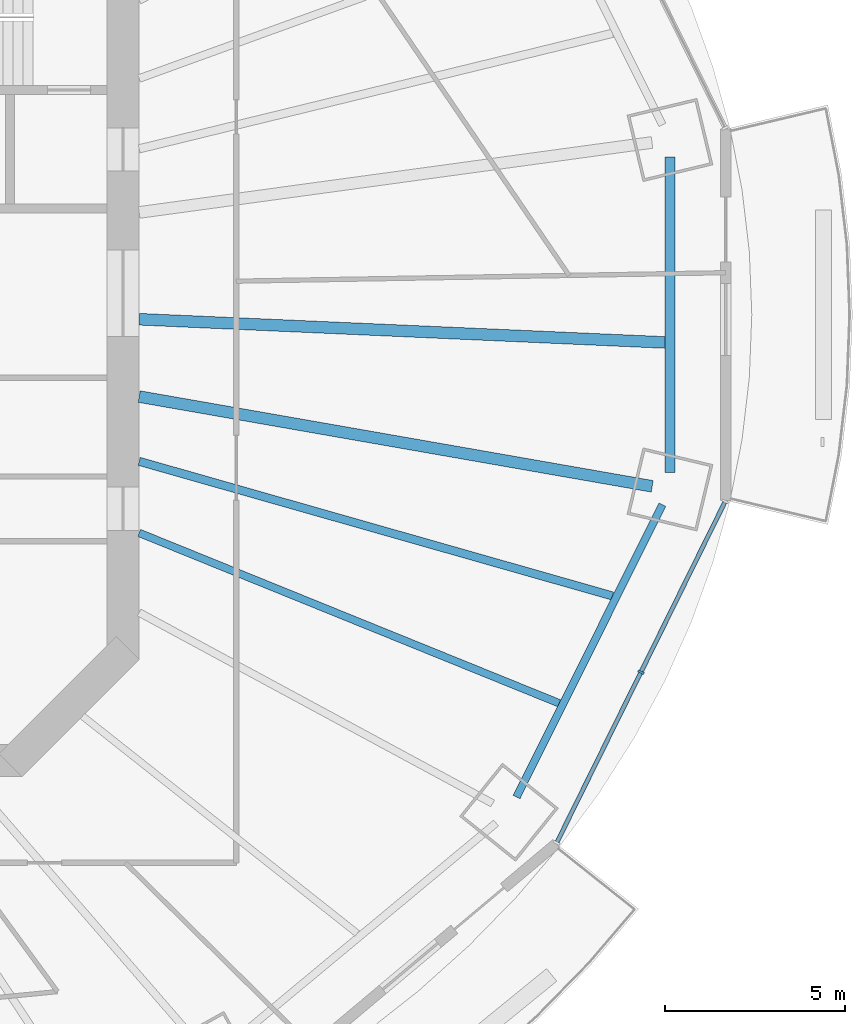
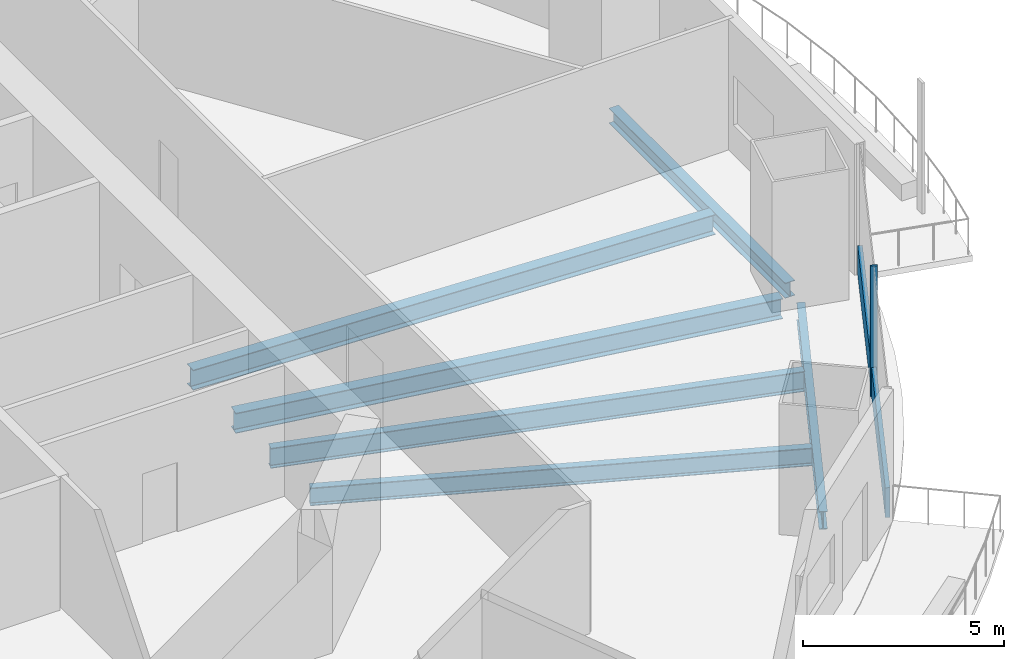
# One storey, part 5 of 21: 6 beams, 2 members, 1 element without a shape of its own.
"""IFC4 building model written with IfcOpenShell, lengths in metres."""

from ifc_helpers import new_model, si_unit, direction, frame, origin, origin_2d, place, context, subcontext, project, spatial, rectangle, i_section, extrude, material, material_profile, profile_set, type_object, element, aggregate, save


model = new_model("IFC4")

# Units and contexts
model_context = context("Model", 3, precision=1e-05, world=origin(), true_north=direction((0.0, 1.0)))
body_context = subcontext(model_context, "Body", "Model", "MODEL_VIEW")
ifc_project = project(units=[si_unit("LENGTHUNIT", "METRE"), si_unit("AREAUNIT", "SQUARE_METRE"), si_unit("VOLUMEUNIT", "CUBIC_METRE"), si_unit("PLANEANGLEUNIT", "RADIAN"), si_unit("MASSUNIT", "GRAM", prefix="KILO")], contexts=[model_context])

# Site, building, storey
site_placement = place(None, origin())
site = spatial("IfcSite", under=ifc_project, at=site_placement, CompositionType="ELEMENT")
building_placement = place(site_placement, origin())
building = spatial("IfcBuilding", under=site, at=building_placement, Name="Marenthal Gate Tower", CompositionType="ELEMENT")
storey_placement = place(building_placement, frame((0.0, 0.0, 206.699951171875)))
storey = spatial("IfcBuildingStorey", under=building, at=storey_placement, Name="L45", CompositionType="ELEMENT", Elevation=206.699951171875)

# Curtain wall, members
ifc_material_1 = material(Name="Aluminium and glass", Category="aluminium")
curtain_wall_type = type_object("IfcCurtainWallType", Name="Curtain wall typical mid", PredefinedType="NOTDEFINED", material=ifc_material_1)
curtain_wall_placement = place(storey_placement, origin())
curtain_wall = element("IfcCurtainWall", 1, at=curtain_wall_placement, inside=storey, type_object=curtain_wall_type, Name="Curtain wall L45 bay 15", PredefinedType="NOTDEFINED")
ifc_material_2 = material(Name="Aluminium", Category="aluminium")
ifc_material_profile_1 = material_profile(ifc_material_2, rectangle(XDim=0.179931640625, YDim=0.06005859375, at=origin_2d()), Name="60x180 aluminium mullion")
ifc_profile_set_1 = profile_set([ifc_material_profile_1], Name="Aluminium")
member_type_1 = type_object("IfcMemberType", Name="Mullion 60x180 typical mid", PredefinedType="MULLION", material=ifc_profile_set_1)
member_1_placement = place(storey_placement, frame((30.408203125, -10.54443359375, 0.0), z_axis=(0.0, 0.0, 1.0), x_axis=(-0.896715617309, 0.442607164057, 0.0)))
member_1 = element("IfcMember", 2, at=member_1_placement, type_object=member_type_1, Name="Mullion L45 bay 15.2", PredefinedType="MULLION", context=body_context, shape_type="SweptSolid", body=[
    extrude(rectangle(XDim=0.179931640625, YDim=0.06005859375, at=origin_2d()), origin(), (0.0, 0.0, 1.0), 3.969970703125),
])
ifc_material_3 = material(Name="Aluminium", Category="aluminium")
ifc_material_profile_2 = material_profile(ifc_material_3, rectangle(XDim=0.1201171875, YDim=0.89990234375, at=origin_2d()), Name="120x900 aluminium transom")
ifc_profile_set_2 = profile_set([ifc_material_profile_2], Name="Aluminium")
member_type_2 = type_object("IfcMemberType", Name="Transom 120x900 typical mid", PredefinedType="USERDEFINED", material=ifc_profile_set_2)
member_2_placement = place(storey_placement, frame((28.07763671875, -15.26611328125, 0.449951171875), z_axis=(0.442608192254, 0.896715109804, 0.0), x_axis=(-0.896715109804, 0.442608192254, 0.0)))
member_2 = element("IfcMember", 3, at=member_2_placement, type_object=member_type_2, Name="Transom L45 bay 15", ObjectType="TRANSOM", PredefinedType="USERDEFINED", context=body_context, shape_type="SweptSolid", body=[
    extrude(rectangle(XDim=0.1201171875, YDim=0.89990234375, at=origin_2d()), origin(), (0.0, 0.0, 1.0), 10.531005859375),
])
aggregate(curtain_wall, [member_1, member_2])

# Beams
ifc_material_4 = material(Name="Steel S355", Category="steel")
ifc_material_profile_3 = material_profile(ifc_material_4, i_section(OverallWidth=0.279052734375, OverallDepth=0.4619140625, WebThickness=0.0107421875, FlangeThickness=0.017333984375, FilletRadius=0.010009765625, at=origin_2d()), Name="W460X113")
ifc_profile_set_3 = profile_set([ifc_material_profile_3], Name="Steel S355")
beam_type_1 = type_object("IfcBeamType", Name="W460X113 beam", PredefinedType="BEAM", material=ifc_profile_set_3)
beam_1_placement = place(storey_placement, frame((31.2158203125, -4.98388671875, -0.410888671875), z_axis=(0.0, 1.0, 0.0), x_axis=(-1.0, 0.0, 0.0)))
element("IfcBeam", 4, at=beam_1_placement, inside=storey, type_object=beam_type_1, Name="BM-L45-56", PredefinedType="BEAM", context=body_context, shape_type="SweptSolid", body=[
    extrude(i_section(OverallWidth=0.279052734375, OverallDepth=0.4619140625, WebThickness=0.0107421875, FlangeThickness=0.017333984375, FilletRadius=0.010009765625, at=origin_2d()), origin(), (0.0, 0.0, 1.0), 8.767578125),
])
ifc_material_5 = material(Name="Steel S355", Category="steel")
ifc_material_profile_4 = material_profile(ifc_material_5, i_section(OverallWidth=0.2119140625, OverallDepth=0.5439453125, WebThickness=0.01318359375, FlangeThickness=0.021240234375, FilletRadius=0.0126953125, at=origin_2d()), Name="W530X123")
ifc_profile_set_4 = profile_set([ifc_material_profile_4], Name="Steel S355")
beam_type_2 = type_object("IfcBeamType", Name="W530X123 beam", PredefinedType="BEAM", material=ifc_profile_set_4)
beam_2_placement = place(storey_placement, frame((28.131591796875, -11.408203125, -0.451904296875), z_axis=(-0.926697708626, 0.375807606132, 0.0), x_axis=(-0.375807606132, -0.926697708626, 0.0)))
element("IfcBeam", 5, at=beam_2_placement, inside=storey, type_object=beam_type_2, Name="BM-L45-38", PredefinedType="BEAM", context=body_context, shape_type="SweptSolid", body=[
    extrude(i_section(OverallWidth=0.2119140625, OverallDepth=0.5439453125, WebThickness=0.01318359375, FlangeThickness=0.021240234375, FilletRadius=0.0126953125, at=origin_2d()), origin(), (0.0, 0.0, 1.0), 12.605712890625),
])
beam_3_placement = place(storey_placement, frame((26.9482421875, -14.019287109375, -0.451904296875), z_axis=(0.446224756274, 0.894920927729, 0.0), x_axis=(-0.894920927729, 0.446224756274, 0.0)))
element("IfcBeam", 6, at=beam_3_placement, inside=storey, type_object=beam_type_2, Name="BM-L45-55", PredefinedType="BEAM", context=body_context, shape_type="SweptSolid", body=[
    extrude(i_section(OverallWidth=0.2119140625, OverallDepth=0.5439453125, WebThickness=0.01318359375, FlangeThickness=0.021240234375, FilletRadius=0.0126953125, at=origin_2d()), origin(), (0.0, 0.0, 1.0), 9.08837890625),
])
ifc_material_6 = material(Name="Steel S355", Category="steel")
ifc_material_profile_5 = material_profile(ifc_material_6, i_section(OverallWidth=0.22900390625, OverallDepth=0.612060546875, WebThickness=0.011962890625, FlangeThickness=0.01953125, FilletRadius=0.0126953125, at=origin_2d()), Name="W610X125")
ifc_profile_set_5 = profile_set([ifc_material_profile_5], Name="Steel S355")
beam_type_3 = type_object("IfcBeamType", Name="W610X125 beam", PredefinedType="BEAM", material=ifc_profile_set_5)
beam_4_placement = place(storey_placement, frame((29.619140625, -8.425048828125, -0.48583984375), z_axis=(-0.961846938218, 0.273588134686, 0.0), x_axis=(-0.273588134686, -0.961846938218, 0.0)))
element("IfcBeam", 7, at=beam_4_placement, inside=storey, type_object=beam_type_3, Name="BM-L45-39", PredefinedType="BEAM", context=body_context, shape_type="SweptSolid", body=[
    extrude(i_section(OverallWidth=0.22900390625, OverallDepth=0.612060546875, WebThickness=0.011962890625, FlangeThickness=0.01953125, FilletRadius=0.0126953125, at=origin_2d()), origin(), (0.0, 0.0, 1.0), 13.691650390625),
])
ifc_material_7 = material(Name="Steel S355", Category="steel")
ifc_material_profile_6 = material_profile(ifc_material_7, i_section(OverallWidth=0.324951171875, OverallDepth=0.612060546875, WebThickness=0.0126953125, FlangeThickness=0.01904296875, FilletRadius=0.0126953125, at=origin_2d()), Name="W610X155")
ifc_profile_set_6 = profile_set([ifc_material_profile_6], Name="Steel S355")
beam_type_4 = type_object("IfcBeamType", Name="W610X155 beam", PredefinedType="BEAM", material=ifc_profile_set_6)
beam_5_placement = place(storey_placement, frame((30.72119140625, -5.374267578125, -0.48583984375), z_axis=(-0.985040837741, 0.17232106076, 0.0), x_axis=(-0.17232106076, -0.985040837741, 0.0)))
element("IfcBeam", 8, at=beam_5_placement, inside=storey, type_object=beam_type_4, Name="BM-L45-16", PredefinedType="BEAM", context=body_context, shape_type="SweptSolid", body=[
    extrude(i_section(OverallWidth=0.324951171875, OverallDepth=0.612060546875, WebThickness=0.0126953125, FlangeThickness=0.01904296875, FilletRadius=0.0126953125, at=origin_2d()), origin(), (0.0, 0.0, 1.0), 14.488037109375),
])
beam_6_placement = place(storey_placement, frame((31.076171875, -1.37158203125, -0.48583984375), z_axis=(-0.999027532939, 0.044090684156, 0.0), x_axis=(-0.044090684156, -0.999027532939, 0.0)))
element("IfcBeam", 9, at=beam_6_placement, inside=storey, type_object=beam_type_4, Name="BM-L45-40", PredefinedType="BEAM", context=body_context, shape_type="SweptSolid", body=[
    extrude(i_section(OverallWidth=0.324951171875, OverallDepth=0.612060546875, WebThickness=0.0126953125, FlangeThickness=0.01904296875, FilletRadius=0.0126953125, at=origin_2d()), origin(), (0.0, 0.0, 1.0), 14.640380859375),
])

save(model, "model.ifc")
